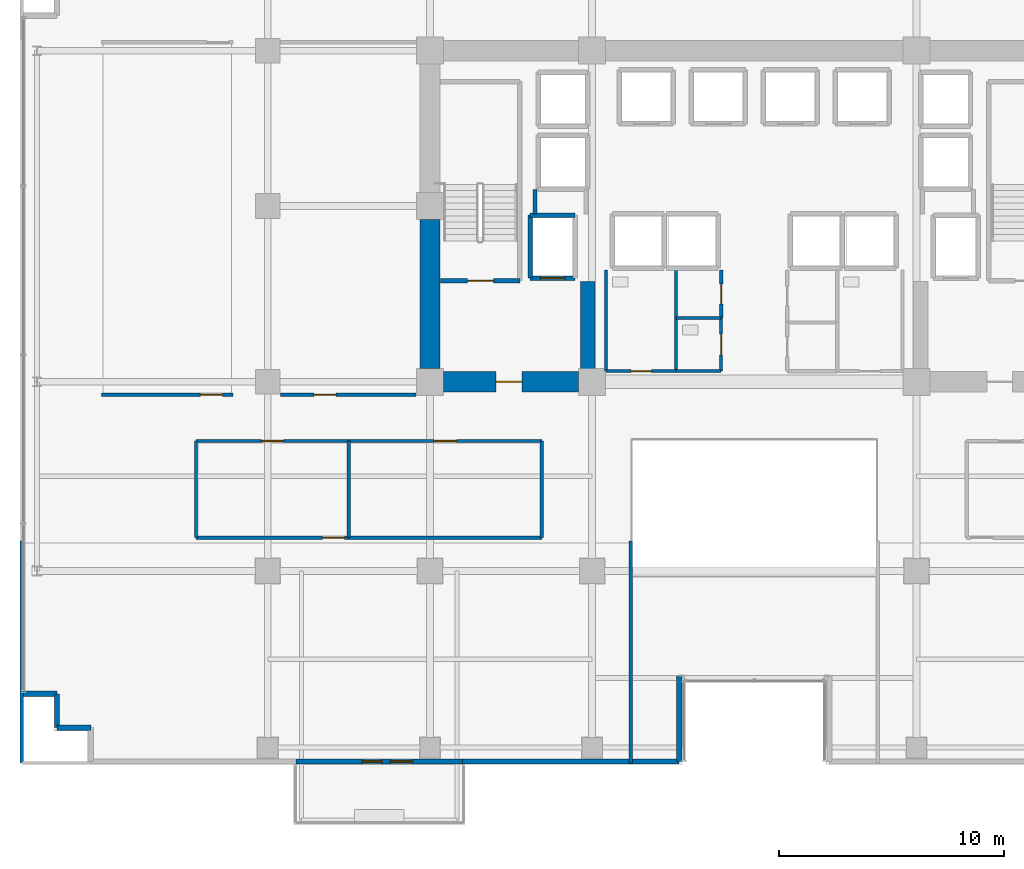
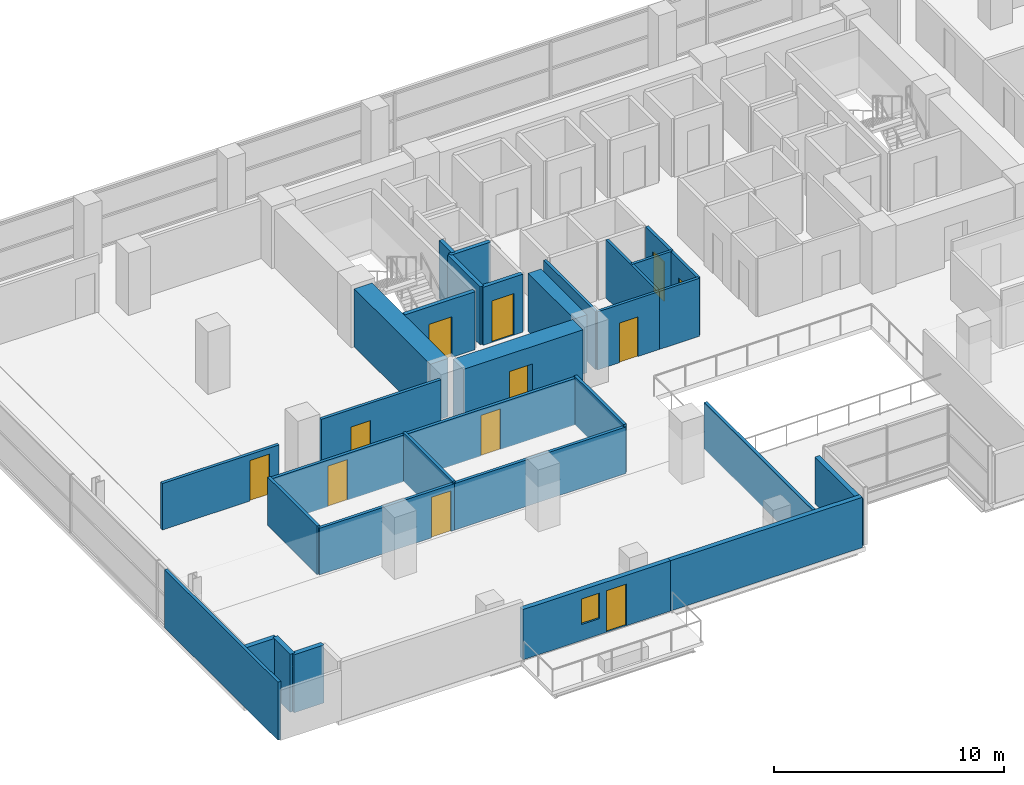
# One storey, part 22 of 30: 32 walls, 12 doors, 1 window, 13 openings.
"""IFC4 building model written with IfcOpenShell, lengths in metres."""

from ifc_helpers import new_model, si_unit, direction, frame, frame_2d, origin, place, context, subcontext, project, spatial, rectangle, extrude, source, transform, mapped, material, layer, layer_set, type_object, element, fill, save


model = new_model("IFC4")

# Units and contexts
model_context = context("Model", 3, precision=1e-05, world=origin(), true_north=direction((0.0, 1.0)))
body_context = subcontext(model_context, "Body", "Model", "MODEL_VIEW")
ifc_project = project(units=[si_unit("LENGTHUNIT", "METRE"), si_unit("AREAUNIT", "SQUARE_METRE"), si_unit("VOLUMEUNIT", "CUBIC_METRE"), si_unit("PLANEANGLEUNIT", "RADIAN"), si_unit("MASSUNIT", "GRAM", prefix="KILO")], contexts=[model_context])

# Site, building, storey
site_placement = place(None, origin())
site = spatial("IfcSite", under=ifc_project, at=site_placement, CompositionType="ELEMENT")
building_placement = place(site_placement, origin())
building = spatial("IfcBuilding", under=site, at=building_placement, Name="Zarnakvel Exchange Tower", CompositionType="ELEMENT")
storey_placement = place(building_placement, frame((0.0, 0.0, 50.5)))
storey = spatial("IfcBuildingStorey", under=building, at=storey_placement, Name="L13", CompositionType="ELEMENT", Elevation=50.5)

# Wall
ifc_material_1 = material(Name="Concrete C80/95", Category="concrete")
ifc_layer_1 = layer(ifc_material_1, 0.89990234375)
ifc_layer_set_1 = layer_set([ifc_layer_1], Name="Concrete C80/95")
wall_type_1 = type_object("IfcWallType", Name="CW-C1", PredefinedType="SHEAR", material=ifc_layer_set_1)
wall_1_placement = place(storey_placement, frame((-14.39990234375, -0.60009765625, 0.0), z_axis=(0.0, 0.0, 1.0), x_axis=(0.0, 1.0, 0.0)))
element("IfcWall", 1, at=wall_1_placement, inside=storey, type_object=wall_type_1, Name="L13 Rear Core Shear Wall W1 (CW-C1)", PredefinedType="SHEAR", context=body_context, shape_type="SweptSolid", body=[
    extrude(rectangle(XDim=6.60009765625, YDim=0.89990234375, at=frame_2d((3.300048828125, 0.0))), origin(), (0.0, 0.0, 1.0), 3.074951171875),
])

# Wall, opening, door
wall_2_placement = place(storey_placement, frame((-7.800048828125, -1.199951171875, 0.0), z_axis=(0.0, 0.0, 1.0), x_axis=(-1.0, 0.0, 0.0)))
wall_2 = element("IfcWall", 2, at=wall_2_placement, inside=storey, type_object=wall_type_1, Name="L13 Rear Core Shear Wall SW (CW-C1)", PredefinedType="SHEAR", context=body_context, shape_type="SweptSolid", body=[
    extrude(rectangle(XDim=6.0, YDim=0.89990234375, at=frame_2d((3.0, 0.0))), origin(), (0.0, 0.0, 1.0), 3.074951171875),
])
opening_1_placement = place(wall_2_placement, frame((2.52490234375, 0.0, 0.0)))
opening_1 = element("IfcOpeningElement", 3, at=opening_1_placement, cuts=wall_2, Name="Opening D-L13-03", PredefinedType="OPENING", context=body_context, shape_type="SweptSolid", body=[
    extrude(rectangle(XDim=1.14990234375, YDim=2.14990234375, at=frame_2d((0.574951171875, 1.074951171875))), frame((0.0, 0.4599609375, 0.0), z_axis=(0.0, -1.0, 0.0), x_axis=(1.0, 0.0, 0.0)), (0.0, 0.0, 1.0), 0.919921875),
])
ifc_material_2 = material(Name="Painted Galvanised Steel S355", Category="steel")
door_type_1 = type_object("IfcDoorType", Name="DT-04", OperationType="NOTDEFINED", PredefinedType="DOOR", material=ifc_material_2)
shared_shape_1 = source(origin(), body_context, "Body", "SweptSolid", [
    extrude(rectangle(XDim=1.14990234375, YDim=2.14990234375, at=frame_2d((0.574951171875, 1.074951171875))), frame((0.0, 0.02490234375, 0.0), z_axis=(0.0, -1.0, 0.0), x_axis=(1.0, 0.0, 0.0)), (0.0, 0.0, 1.0), 0.050048828125),
])
door_1_placement = place(opening_1_placement, origin())
door_1 = element("IfcDoor", 4, at=door_1_placement, inside=storey, type_object=door_type_1, Name="L13 Firefighting Lobby West Door D-L13-03", OperationType="SINGLE_SWING_LEFT", OverallHeight=2.14990234375, OverallWidth=1.14990234375, PredefinedType="DOOR", context=body_context, shape_type="MappedRepresentation", body=[
    mapped(shared_shape_1, transform((0.0, 0.0, 0.0), x_axis=(1.0, 0.0, 0.0), y_axis=(0.0, 1.0, 0.0), z_axis=(0.0, 0.0, 1.0), scale=1.0)),
])
fill(opening_1, door_1)

# Wall
ifc_layer_2 = layer(ifc_material_1, 0.64990234375)
ifc_layer_set_2 = layer_set([ifc_layer_2], Name="Concrete C80/95")
wall_type_2 = type_object("IfcWallType", Name="CW-C2", PredefinedType="SHEAR", material=ifc_layer_set_2)
wall_3_placement = place(storey_placement, frame((-7.39990234375, -0.75, 0.0), z_axis=(0.0, 0.0, 1.0), x_axis=(0.0, 1.0, 0.0)))
element("IfcWall", 5, at=wall_3_placement, inside=storey, type_object=wall_type_2, Name="L13 Rear Core Shear Wall IW (CW-C2)", PredefinedType="SHEAR", context=body_context, shape_type="SweptSolid", body=[
    extrude(rectangle(XDim=4.0, YDim=0.64990234375, at=frame_2d((2.0, 0.0))), origin(), (0.0, 0.0, 1.0), 3.074951171875),
])

# Wall, openings, door, window
ifc_material_3 = material(Name="Precast concrete C40/50", Category="concrete")
ifc_layer_3 = layer(ifc_material_3, 0.239990234375)
ifc_layer_set_3 = layer_set([ifc_layer_3], Name="Precast concrete C40/50")
wall_type_3 = type_object("IfcWallType", Name="EW-02", PredefinedType="SOLIDWALL", material=ifc_layer_set_3)
wall_4_placement = place(storey_placement, frame((-12.949951171875, -18.06005859375, 0.0), z_axis=(0.0, 0.0, 1.0), x_axis=(-1.0, 0.0, 0.0)))
wall_4 = element("IfcWall", 6, at=wall_4_placement, inside=storey, type_object=wall_type_3, Name="L13 Exterior Precast Spandrel Wall EW-BAL-L13-SW (EW-02)", PredefinedType="SOLIDWALL", context=body_context, shape_type="SweptSolid", body=[
    extrude(rectangle(XDim=7.400146484375, YDim=0.239990234375, at=frame_2d((3.7001953125, 0.0))), origin(), (0.0, 0.0, 1.0), 2.6650390625),
])
opening_2_placement = place(wall_4_placement, frame((2.219970703125, 0.0, 0.0)))
opening_2 = element("IfcOpeningElement", 7, at=opening_2_placement, cuts=wall_4, Name="Opening BD-L13-01", PredefinedType="OPENING", context=body_context, shape_type="SweptSolid", body=[
    extrude(rectangle(XDim=1.0, YDim=2.199951171875, at=frame_2d((0.5, 1.10009765625))), frame((0.0, 0.1298828125, 0.0), z_axis=(0.0, -1.0, 0.0), x_axis=(1.0, 0.0, 0.0)), (0.0, 0.0, 1.0), 0.260009765625),
])
opening_3_placement = place(wall_4_placement, frame((3.570068359375, 0.0, 0.85009765625)))
opening_3 = element("IfcOpeningElement", 8, at=opening_3_placement, cuts=wall_4, Name="Opening WN-06", PredefinedType="OPENING", context=body_context, shape_type="SweptSolid", body=[
    extrude(rectangle(XDim=0.89990234375, YDim=1.35009765625, at=frame_2d((0.449951171875, 0.675048828125))), frame((0.0, 0.1298828125, 0.0), z_axis=(0.0, -1.0, 0.0), x_axis=(1.0, 0.0, 0.0)), (0.0, 0.0, 1.0), 0.260009765625),
])
ifc_material_4 = material(Name="Architectural Bronze Anodised Aluminium", Category="aluminium")
door_type_2 = type_object("IfcDoorType", Name="DT-09", OperationType="NOTDEFINED", PredefinedType="DOOR", material=ifc_material_4)
shared_shape_2 = source(origin(), body_context, "Body", "SweptSolid", [
    extrude(rectangle(XDim=1.0, YDim=2.199951171875, at=frame_2d((0.5, 1.10009765625))), frame((0.0, 0.02490234375, 0.0), z_axis=(0.0, -1.0, 0.0), x_axis=(1.0, 0.0, 0.0)), (0.0, 0.0, 1.0), 0.050048828125),
])
door_2_placement = place(opening_2_placement, origin())
door_2 = element("IfcDoor", 9, at=door_2_placement, inside=storey, type_object=door_type_2, Name="L13 Planted Loggia Balcony Door BD-L13-01", OperationType="SINGLE_SWING_LEFT", OverallHeight=2.199951171875, OverallWidth=1.0, PredefinedType="DOOR", context=body_context, shape_type="MappedRepresentation", body=[
    mapped(shared_shape_2, transform((0.0, 0.0, 0.0), x_axis=(1.0, 0.0, 0.0), y_axis=(0.0, 1.0, 0.0), z_axis=(0.0, 0.0, 1.0), scale=1.0)),
])
fill(opening_2, door_2)
ifc_material_5 = material(Name="Double Low-E Laminated Vision Glass", Category="glass")
window_type = type_object("IfcWindowType", Name="WN-06", PartitioningType="SINGLE_PANEL", PredefinedType="WINDOW", material=ifc_material_5)
shared_shape_3 = source(origin(), body_context, "Body", "SweptSolid", [
    extrude(rectangle(XDim=0.89990234375, YDim=1.35009765625, at=frame_2d((0.449951171875, 0.675048828125))), frame((0.0, 0.030029296875, 0.0), z_axis=(0.0, -1.0, 0.0), x_axis=(1.0, 0.0, 0.0)), (0.0, 0.0, 1.0), 0.06005859375),
])
window_placement = place(opening_3_placement, origin())
window = element("IfcWindow", 10, at=window_placement, inside=storey, type_object=window_type, Name="L13 Loggia Daylight Window (WN-06)", OverallHeight=1.35009765625, OverallWidth=0.89990234375, PartitioningType="SINGLE_PANEL", PredefinedType="WINDOW", context=body_context, shape_type="MappedRepresentation", body=[
    mapped(shared_shape_3, transform((0.0, 0.0, 0.0), x_axis=(1.0, 0.0, 0.0), y_axis=(0.0, 1.0, 0.0), z_axis=(0.0, 0.0, 1.0), scale=1.0)),
])
fill(opening_3, window)

# Walls
wall_5_placement = place(storey_placement, frame((-3.340087890625, -18.06005859375, 0.0), z_axis=(0.0, 0.0, 1.0), x_axis=(0.0, 1.0, 0.0)))
element("IfcWall", 11, at=wall_5_placement, inside=storey, type_object=wall_type_3, Name="L13 Exterior Precast Spandrel Wall EWC-L13-20 (EW-02)", PredefinedType="SOLIDWALL", context=body_context, shape_type="SweptSolid", body=[
    extrude(rectangle(XDim=3.800048828125, YDim=0.239990234375, at=frame_2d((1.89990234375, 0.0))), origin(), (0.0, 0.0, 1.0), 2.465087890625),
])
wall_6_placement = place(storey_placement, frame((-12.949951171875, -18.06005859375, 0.0), z_axis=(0.0, 0.0, 1.0), x_axis=(1.0, 0.0, 0.0)))
element("IfcWall", 12, at=wall_6_placement, inside=storey, type_object=wall_type_3, Name="L13 Exterior Precast Spandrel Wall EWC-L13-21 (EW-02)", PredefinedType="SOLIDWALL", context=body_context, shape_type="SweptSolid", body=[
    extrude(rectangle(XDim=9.60986328125, YDim=0.239990234375, at=frame_2d((4.804931640625, 0.0))), origin(), (0.0, 0.0, 1.0), 2.6650390625),
])
for number, where, z_axis, x_axis, name in (
    (13, (-30.9599609375, -16.56005859375, 0.0), (0.0, 0.0, 1.0), (1.0, 0.0, 0.0), "L13 Exterior Precast Spandrel Wall EWC-L13-24 (EW-02)"),
    (14, (-30.9599609375, -15.06005859375, 0.0), (0.0, 0.0, 1.0), (0.0, -1.0, 0.0), "L13 Exterior Precast Spandrel Wall EWC-L13-25 (EW-02)"),
    (15, (-32.4599609375, -15.06005859375, 0.0), (0.0, 0.0, 1.0), (1.0, 0.0, 0.0), "L13 Exterior Precast Spandrel Wall EWC-L13-26 (EW-02)"),
):
    element("IfcWall", number, at=place(storey_placement, frame(where, z_axis=z_axis, x_axis=x_axis)), inside=storey, type_object=wall_type_3, Name=name, PredefinedType="SOLIDWALL", context=body_context, shape_type="SweptSolid", body=[
        extrude(rectangle(XDim=1.5, YDim=0.239990234375, at=frame_2d((0.75, 0.0))), origin(), (0.0, 0.0, 1.0), 3.074951171875),
    ])

# Wall, opening, door
ifc_material_6 = material(Name="Fire-Rated Gypsum Stud Partition", Category="gypsum")
ifc_layer_4 = layer(ifc_material_6, 0.14990234375)
ifc_layer_set_4 = layer_set([ifc_layer_4], Name="Fire-Rated Gypsum Stud Partition")
wall_type_4 = type_object("IfcWallType", Name="PT-01", PredefinedType="PARTITIONING", material=ifc_layer_set_4)
wall_7_placement = place(storey_placement, frame((-1.469970703125, 3.760009765625, 0.0), z_axis=(0.0, 0.0, 1.0), x_axis=(0.0, -1.0, 0.0)))
wall_7 = element("IfcWall", 16, at=wall_7_placement, inside=storey, type_object=wall_type_4, Name="L13 Partition Wall PWALL-L13-017 (PT-01)", PredefinedType="PARTITIONING", context=body_context, shape_type="SweptSolid", body=[
    extrude(rectangle(XDim=2.130126953125, YDim=0.14990234375, at=frame_2d((1.06494140625, 0.0))), origin(), (0.0, 0.0, 1.0), 3.074951171875),
])
opening_4_placement = place(wall_7_placement, frame((0.6201171875, 0.0, 0.0)))
opening_4 = element("IfcOpeningElement", 17, at=opening_4_placement, cuts=wall_7, Name="Opening D-L13-07", PredefinedType="OPENING", context=body_context, shape_type="SweptSolid", body=[
    extrude(rectangle(XDim=0.8798828125, YDim=2.10009765625, at=frame_2d((0.43994140625, 1.050048828125))), frame((0.0, 0.0849609375, 0.0), z_axis=(0.0, -1.0, 0.0), x_axis=(1.0, 0.0, 0.0)), (0.0, 0.0, 1.0), 0.169921875),
])
door_type_3 = type_object("IfcDoorType", Name="DT-08", OperationType="NOTDEFINED", PredefinedType="DOOR", material=ifc_material_2)
shared_shape_4 = source(origin(), body_context, "Body", "SweptSolid", [
    extrude(rectangle(XDim=0.8798828125, YDim=2.10009765625, at=frame_2d((0.43994140625, 1.050048828125))), frame((0.0, 0.02490234375, 0.0), z_axis=(0.0, -1.0, 0.0), x_axis=(1.0, 0.0, 0.0)), (0.0, 0.0, 1.0), 0.050048828125),
])
door_3_placement = place(opening_4_placement, origin())
door_3 = element("IfcDoor", 18, at=door_3_placement, inside=storey, type_object=door_type_3, Name="L13 Core Comms Room Door D-L13-07", OperationType="SINGLE_SWING_LEFT", OverallHeight=2.10009765625, OverallWidth=0.8798828125, PredefinedType="DOOR", context=body_context, shape_type="MappedRepresentation", body=[
    mapped(shared_shape_4, transform((0.0, 0.0, 0.0), x_axis=(1.0, 0.0, 0.0), y_axis=(0.0, 1.0, 0.0), z_axis=(0.0, 0.0, 1.0), scale=1.0)),
])
fill(opening_4, door_3)

wall_8_placement = place(storey_placement, frame((-18.012451171875, -8.1201171875, 0.0), z_axis=(0.0, 0.0, 1.0), x_axis=(-1.0, 0.0, 0.0)))
wall_8 = element("IfcWall", 19, at=wall_8_placement, inside=storey, type_object=wall_type_4, Name="L13 Partition Wall PWALL-L13-026 (PT-01)", PredefinedType="PARTITIONING", context=body_context, shape_type="SweptSolid", body=[
    extrude(rectangle(XDim=6.77783203125, YDim=0.14990234375, at=frame_2d((3.388916015625, 0.0))), origin(), (0.0, 0.0, 1.0), 2.465087890625),
])
opening_5_placement = place(wall_8_placement, frame((0.179931640625, 0.0, 0.0)))
opening_5 = element("IfcOpeningElement", 20, at=opening_5_placement, cuts=wall_8, Name="Opening D-L13-13", PredefinedType="OPENING", context=body_context, shape_type="SweptSolid", body=[
    extrude(rectangle(XDim=0.97998046875, YDim=2.14990234375, at=frame_2d((0.489990234375, 1.074951171875))), frame((0.0, 0.0849609375, 0.0), z_axis=(0.0, -1.0, 0.0), x_axis=(1.0, 0.0, 0.0)), (0.0, 0.0, 1.0), 0.169921875),
])
ifc_material_7 = material(Name="Timber Acoustic Veneer", Category="wood")
door_type_4 = type_object("IfcDoorType", Name="DT-05", OperationType="NOTDEFINED", PredefinedType="DOOR", material=ifc_material_7)
shared_shape_5 = source(origin(), body_context, "Body", "SweptSolid", [
    extrude(rectangle(XDim=0.97998046875, YDim=2.14990234375, at=frame_2d((0.489990234375, 1.074951171875))), frame((0.0, 0.02490234375, 0.0), z_axis=(0.0, -1.0, 0.0), x_axis=(1.0, 0.0, 0.0)), (0.0, 0.0, 1.0), 0.050048828125),
])
door_4_placement = place(opening_5_placement, origin())
door_4 = element("IfcDoor", 21, at=door_4_placement, inside=storey, type_object=door_type_4, Name="L13 Derivatives Trading Hall Door D-L13-13", OperationType="SINGLE_SWING_LEFT", OverallHeight=2.14990234375, OverallWidth=0.97998046875, PredefinedType="DOOR", context=body_context, shape_type="MappedRepresentation", body=[
    mapped(shared_shape_5, transform((0.0, 0.0, 0.0), x_axis=(1.0, 0.0, 0.0), y_axis=(0.0, 1.0, 0.0), z_axis=(0.0, 0.0, 1.0), scale=1.0)),
])
fill(opening_5, door_4)

wall_9_placement = place(storey_placement, frame((-24.790283203125, -3.830078125, 0.0), z_axis=(0.0, 0.0, 1.0), x_axis=(1.0, 0.0, 0.0)))
wall_9 = element("IfcWall", 22, at=wall_9_placement, inside=storey, type_object=wall_type_4, Name="L13 Partition Wall PWALL-L13-027 (PT-01)", PredefinedType="PARTITIONING", context=body_context, shape_type="SweptSolid", body=[
    extrude(rectangle(XDim=6.77783203125, YDim=0.14990234375, at=frame_2d((3.388916015625, 0.0))), origin(), (0.0, 0.0, 1.0), 2.465087890625),
])
opening_6_placement = place(wall_9_placement, frame((2.899169921875, 0.0, 0.0)))
opening_6 = element("IfcOpeningElement", 23, at=opening_6_placement, cuts=wall_9, Name="Opening D-L13-11", PredefinedType="OPENING", context=body_context, shape_type="SweptSolid", body=[
    extrude(rectangle(XDim=0.97998046875, YDim=2.14990234375, at=frame_2d((0.489990234375, 1.074951171875))), frame((0.0, 0.0849609375, 0.0), z_axis=(0.0, -1.0, 0.0), x_axis=(1.0, 0.0, 0.0)), (0.0, 0.0, 1.0), 0.169921875),
])
door_5_placement = place(opening_6_placement, origin())
door_5 = element("IfcDoor", 24, at=door_5_placement, inside=storey, type_object=door_type_4, Name="L13 Conference Room Door D-L13-11", OperationType="SINGLE_SWING_LEFT", OverallHeight=2.14990234375, OverallWidth=0.97998046875, PredefinedType="DOOR", context=body_context, shape_type="MappedRepresentation", body=[
    mapped(shared_shape_5, transform((0.0, 0.0, 0.0), x_axis=(1.0, 0.0, 0.0), y_axis=(0.0, 1.0, 0.0), z_axis=(0.0, 0.0, 1.0), scale=1.0)),
])
fill(opening_6, door_5)

# Walls
for number, where, z_axis, x_axis, name in (
    (25, (-24.790283203125, -8.1201171875, 0.0), (0.0, 0.0, 1.0), (0.0, 1.0, 0.0), "L13 Partition Wall PWALL-L13-028 (PT-01)"),
    (26, (-18.012451171875, -3.830078125, 0.0), (0.0, 0.0, 1.0), (0.0, -1.0, 0.0), "L13 Partition Wall PWALL-L13-029 (PT-01)"),
):
    element("IfcWall", number, at=place(storey_placement, frame(where, z_axis=z_axis, x_axis=x_axis)), inside=storey, type_object=wall_type_4, Name=name, PredefinedType="PARTITIONING", context=body_context, shape_type="SweptSolid", body=[
        extrude(rectangle(XDim=4.2900390625, YDim=0.14990234375, at=frame_2d((2.14501953125, 0.0))), origin(), (0.0, 0.0, 1.0), 2.56494140625),
    ])
wall_10_placement = place(storey_placement, frame((-9.429931640625, -8.1201171875, 0.0), z_axis=(0.0, 0.0, 1.0), x_axis=(-1.0, 0.0, 0.0)))
element("IfcWall", 27, at=wall_10_placement, inside=storey, type_object=wall_type_4, Name="L13 Partition Wall PWALL-L13-030 (PT-01)", PredefinedType="PARTITIONING", context=body_context, shape_type="SweptSolid", body=[
    extrude(rectangle(XDim=8.58251953125, YDim=0.14990234375, at=frame_2d((4.291259765625, 0.0))), origin(), (0.0, 0.0, 1.0), 2.465087890625),
])

# Wall, opening, door
wall_11_placement = place(storey_placement, frame((-18.012451171875, -3.830078125, 0.0), z_axis=(0.0, 0.0, 1.0), x_axis=(1.0, 0.0, 0.0)))
wall_11 = element("IfcWall", 28, at=wall_11_placement, inside=storey, type_object=wall_type_4, Name="L13 Partition Wall PWALL-L13-031 (PT-01)", PredefinedType="PARTITIONING", context=body_context, shape_type="SweptSolid", body=[
    extrude(rectangle(XDim=8.58251953125, YDim=0.14990234375, at=frame_2d((4.291259765625, 0.0))), origin(), (0.0, 0.0, 1.0), 2.465087890625),
])
opening_7_placement = place(wall_11_placement, frame((3.801513671875, 0.0, 0.0)))
opening_7 = element("IfcOpeningElement", 29, at=opening_7_placement, cuts=wall_11, Name="Opening D-L13-12", PredefinedType="OPENING", context=body_context, shape_type="SweptSolid", body=[
    extrude(rectangle(XDim=0.97998046875, YDim=2.14990234375, at=frame_2d((0.489990234375, 1.074951171875))), frame((0.0, 0.0849609375, 0.0), z_axis=(0.0, -1.0, 0.0), x_axis=(1.0, 0.0, 0.0)), (0.0, 0.0, 1.0), 0.169921875),
])
door_6_placement = place(opening_7_placement, origin())
door_6 = element("IfcDoor", 30, at=door_6_placement, inside=storey, type_object=door_type_4, Name="L13 Executive Suite Door D-L13-12", OperationType="SINGLE_SWING_RIGHT", OverallHeight=2.14990234375, OverallWidth=0.97998046875, PredefinedType="DOOR", context=body_context, shape_type="MappedRepresentation", body=[
    mapped(shared_shape_5, transform((0.0, 0.0, 0.0), x_axis=(1.0, 0.0, 0.0), y_axis=(0.0, 1.0, 0.0), z_axis=(0.0, 0.0, 1.0), scale=1.0)),
])
fill(opening_7, door_6)

# Walls
wall_12_placement = place(storey_placement, frame((-9.429931640625, -3.830078125, 0.0), z_axis=(0.0, 0.0, 1.0), x_axis=(0.0, -1.0, 0.0)))
element("IfcWall", 31, at=wall_12_placement, inside=storey, type_object=wall_type_4, Name="L13 Partition Wall PWALL-L13-032 (PT-01)", PredefinedType="PARTITIONING", context=body_context, shape_type="SweptSolid", body=[
    extrude(rectangle(XDim=4.2900390625, YDim=0.14990234375, at=frame_2d((2.14501953125, 0.0))), origin(), (0.0, 0.0, 1.0), 2.56494140625),
])
wall_13_placement = place(storey_placement, frame((-32.530029296875, -18.1298828125, 0.0), z_axis=(0.0, 0.0, 1.0), x_axis=(0.0, 1.0, 0.0)))
element("IfcWall", 32, at=wall_13_placement, inside=storey, type_object=wall_type_4, Name="L13 Partition Wall PWALL-L13-034 (PT-01)", PredefinedType="PARTITIONING", context=body_context, shape_type="SweptSolid", body=[
    extrude(rectangle(XDim=9.849853515625, YDim=0.14990234375, at=frame_2d((4.9248046875, 0.0))), origin(), (0.0, 0.0, 1.0), 3.074951171875),
])
wall_14_placement = place(storey_placement, frame((-5.47998046875, -8.280029296875, 0.0), z_axis=(0.0, 0.0, 1.0), x_axis=(0.0, -1.0, 0.0)))
element("IfcWall", 33, at=wall_14_placement, inside=storey, type_object=wall_type_4, Name="L13 Partition Wall PWALL-L13-035 (PT-01)", PredefinedType="PARTITIONING", context=body_context, shape_type="SweptSolid", body=[
    extrude(rectangle(XDim=9.849853515625, YDim=0.14990234375, at=frame_2d((4.9248046875, 0.0))), origin(), (0.0, 0.0, 1.0), 2.465087890625),
])

# Wall, opening, door
wall_15_placement = place(storey_placement, frame((-23.142822265625, -1.77001953125, 0.0), z_axis=(0.0, 0.0, 1.0), x_axis=(-1.0, 0.0, 0.0)))
wall_15 = element("IfcWall", 34, at=wall_15_placement, inside=storey, type_object=wall_type_4, Name="L13 Partition Wall PWALL-L13-048 (PT-01)", PredefinedType="PARTITIONING", context=body_context, shape_type="SweptSolid", body=[
    extrude(rectangle(XDim=5.853271484375, YDim=0.14990234375, at=frame_2d((2.9267578125, 0.0))), origin(), (0.0, 0.0, 1.0), 2.465087890625),
])
opening_8_placement = place(wall_15_placement, frame((0.47802734375, 0.0, 0.0)))
opening_8 = element("IfcOpeningElement", 35, at=opening_8_placement, cuts=wall_15, Name="Opening D-L13-18", PredefinedType="OPENING", context=body_context, shape_type="SweptSolid", body=[
    extrude(rectangle(XDim=0.97998046875, YDim=2.14990234375, at=frame_2d((0.489990234375, 1.074951171875))), frame((0.0, 0.0849609375, 0.0), z_axis=(0.0, -1.0, 0.0), x_axis=(1.0, 0.0, 0.0)), (0.0, 0.0, 1.0), 0.169921875),
])
door_7_placement = place(opening_8_placement, origin())
door_7 = element("IfcDoor", 36, at=door_7_placement, inside=storey, type_object=door_type_4, Name="L13 Staff Pantry Door D-L13-18", OperationType="SINGLE_SWING_RIGHT", OverallHeight=2.14990234375, OverallWidth=0.97998046875, PredefinedType="DOOR", context=body_context, shape_type="MappedRepresentation", body=[
    mapped(shared_shape_5, transform((0.0, 0.0, 0.0), x_axis=(1.0, 0.0, 0.0), y_axis=(0.0, 1.0, 0.0), z_axis=(0.0, 0.0, 1.0), scale=1.0)),
])
fill(opening_8, door_7)

wall_16_placement = place(storey_placement, frame((-15.02001953125, -1.77001953125, 0.0), z_axis=(0.0, 0.0, 1.0), x_axis=(-1.0, 0.0, 0.0)))
wall_16 = element("IfcWall", 37, at=wall_16_placement, inside=storey, type_object=wall_type_4, Name="L13 Partition Wall PWALL-L13-050 (PT-01)", PredefinedType="PARTITIONING", context=body_context, shape_type="SweptSolid", body=[
    extrude(rectangle(XDim=6.010009765625, YDim=0.14990234375, at=frame_2d((3.0048828125, 0.0))), origin(), (0.0, 0.0, 1.0), 3.074951171875),
])
opening_9_placement = place(wall_16_placement, frame((3.5458984375, 0.0, 0.0)))
opening_9 = element("IfcOpeningElement", 38, at=opening_9_placement, cuts=wall_16, Name="Opening D-L13-19", PredefinedType="OPENING", context=body_context, shape_type="SweptSolid", body=[
    extrude(rectangle(XDim=0.97998046875, YDim=2.14990234375, at=frame_2d((0.489990234375, 1.074951171875))), frame((0.0, 0.0849609375, 0.0), z_axis=(0.0, -1.0, 0.0), x_axis=(1.0, 0.0, 0.0)), (0.0, 0.0, 1.0), 0.169921875),
])
door_8_placement = place(opening_9_placement, origin())
door_8 = element("IfcDoor", 39, at=door_8_placement, inside=storey, type_object=door_type_4, Name="L13 Compliance Office Door D-L13-19", OperationType="SINGLE_SWING_LEFT", OverallHeight=2.14990234375, OverallWidth=0.97998046875, PredefinedType="DOOR", context=body_context, shape_type="MappedRepresentation", body=[
    mapped(shared_shape_5, transform((0.0, 0.0, 0.0), x_axis=(1.0, 0.0, 0.0), y_axis=(0.0, 1.0, 0.0), z_axis=(0.0, 0.0, 1.0), scale=1.0)),
])
fill(opening_9, door_8)

# Wall
ifc_layer_5 = layer(ifc_material_6, 0.179931640625)
ifc_layer_set_5 = layer_set([ifc_layer_5], Name="Fire-Rated Gypsum Stud Partition")
wall_type_5 = type_object("IfcWallType", Name="PT-02", PredefinedType="PARTITIONING", material=ifc_layer_set_5)
wall_17_placement = place(storey_placement, frame((-9.72998046875, 6.239990234375, 0.0), z_axis=(0.0, 0.0, 1.0), x_axis=(0.0, 1.0, 0.0)))
element("IfcWall", 40, at=wall_17_placement, inside=storey, type_object=wall_type_5, Name="L13 Partition Wall PWALL-L13-007 (PT-02)", PredefinedType="PARTITIONING", context=body_context, shape_type="SweptSolid", body=[
    extrude(rectangle(XDim=1.090087890625, YDim=0.179931640625, at=frame_2d((0.544921875, 0.0))), origin(), (0.0, 0.0, 1.0), 3.074951171875),
])

# Wall, opening, door
ifc_material_8 = material(Name="Moisture-Resistant Tile-Faced Partition", Category="gypsum")
ifc_layer_6 = layer(ifc_material_8, 0.135009765625)
ifc_layer_set_6 = layer_set([ifc_layer_6], Name="Moisture-Resistant Tile-Faced Partition")
wall_type_6 = type_object("IfcWallType", Name="PT-03", PredefinedType="PARTITIONING", material=ifc_layer_set_6)
wall_18_placement = place(storey_placement, frame((-3.469970703125, -0.72998046875, 0.0), z_axis=(0.0, 0.0, 1.0), x_axis=(-1.0, 0.0, 0.0)))
wall_18 = element("IfcWall", 41, at=wall_18_placement, inside=storey, type_object=wall_type_6, Name="L13 Partition Wall PWALL-L13-011 (PT-03)", PredefinedType="PARTITIONING", context=body_context, shape_type="SweptSolid", body=[
    extrude(rectangle(XDim=3.110107421875, YDim=0.135009765625, at=frame_2d((1.55517578125, 0.0))), origin(), (0.0, 0.0, 1.0), 3.074951171875),
])
opening_10_placement = place(wall_18_placement, frame((1.090087890625, 0.0, 0.0)))
opening_10 = element("IfcOpeningElement", 42, at=opening_10_placement, cuts=wall_18, Name="Opening D-L13-05", PredefinedType="OPENING", context=body_context, shape_type="SweptSolid", body=[
    extrude(rectangle(XDim=0.919921875, YDim=2.10009765625, at=frame_2d((0.4599609375, 1.050048828125))), frame((0.0, 0.077392578125, 0.0), z_axis=(0.0, -1.0, 0.0), x_axis=(1.0, 0.0, 0.0)), (0.0, 0.0, 1.0), 0.155029296875),
])
ifc_material_9 = material(Name="Moisture-Resistant Laminate Timber", Category="wood")
door_type_5 = type_object("IfcDoorType", Name="DT-07", OperationType="NOTDEFINED", PredefinedType="DOOR", material=ifc_material_9)
shared_shape_6 = source(origin(), body_context, "Body", "SweptSolid", [
    extrude(rectangle(XDim=0.919921875, YDim=2.10009765625, at=frame_2d((0.4599609375, 1.050048828125))), frame((0.0, 0.02490234375, 0.0), z_axis=(0.0, -1.0, 0.0), x_axis=(1.0, 0.0, 0.0)), (0.0, 0.0, 1.0), 0.050048828125),
])
door_9_placement = place(opening_10_placement, origin())
door_9 = element("IfcDoor", 43, at=door_9_placement, inside=storey, type_object=door_type_5, Name="L13 Male Toilet Door D-L13-05", OperationType="SINGLE_SWING_LEFT", OverallHeight=2.10009765625, OverallWidth=0.919921875, PredefinedType="DOOR", context=body_context, shape_type="MappedRepresentation", body=[
    mapped(shared_shape_6, transform((0.0, 0.0, 0.0), x_axis=(1.0, 0.0, 0.0), y_axis=(0.0, 1.0, 0.0), z_axis=(0.0, 0.0, 1.0), scale=1.0)),
])
fill(opening_10, door_9)

# Walls
for number, where, z_axis, x_axis, name in (
    (44, (-6.580078125, -0.72998046875, 0.0), (0.0, 0.0, 1.0), (0.0, 1.0, 0.0), "L13 Partition Wall PWALL-L13-012 (PT-03)"),
    (45, (-3.469970703125, 3.760009765625, 0.0), (0.0, 0.0, 1.0), (0.0, -1.0, 0.0), "L13 Partition Wall PWALL-L13-013 (PT-03)"),
):
    element("IfcWall", number, at=place(storey_placement, frame(where, z_axis=z_axis, x_axis=x_axis)), inside=storey, type_object=wall_type_6, Name=name, PredefinedType="PARTITIONING", context=body_context, shape_type="SweptSolid", body=[
        extrude(rectangle(XDim=4.489990234375, YDim=0.135009765625, at=frame_2d((2.2451171875, 0.0))), origin(), (0.0, 0.0, 1.0), 3.074951171875),
    ])
for number, where, z_axis, x_axis, name in (
    (46, (-1.469970703125, -0.72998046875, 0.0), (0.0, 0.0, 1.0), (-1.0, 0.0, 0.0), "L13 Partition Wall PWALL-L13-014 (PT-03)"),
    (47, (-3.469970703125, 1.6298828125, 0.0), (0.0, 0.0, 1.0), (1.0, 0.0, 0.0), "L13 Partition Wall PWALL-L13-015 (PT-03)"),
):
    element("IfcWall", number, at=place(storey_placement, frame(where, z_axis=z_axis, x_axis=x_axis)), inside=storey, type_object=wall_type_6, Name=name, PredefinedType="PARTITIONING", context=body_context, shape_type="SweptSolid", body=[
        extrude(rectangle(XDim=2.0, YDim=0.135009765625, at=frame_2d((1.0, 0.0))), origin(), (0.0, 0.0, 1.0), 3.074951171875),
    ])

# Wall, opening, door
wall_19_placement = place(storey_placement, frame((-1.469970703125, 1.6298828125, 0.0), z_axis=(0.0, 0.0, 1.0), x_axis=(0.0, -1.0, 0.0)))
wall_19 = element("IfcWall", 48, at=wall_19_placement, inside=storey, type_object=wall_type_6, Name="L13 Partition Wall PWALL-L13-016 (PT-03)", PredefinedType="PARTITIONING", context=body_context, shape_type="SweptSolid", body=[
    extrude(rectangle(XDim=2.35986328125, YDim=0.135009765625, at=frame_2d((1.179931640625, 0.0))), origin(), (0.0, 0.0, 1.0), 3.074951171875),
])
opening_11_placement = place(wall_19_placement, frame((0.719970703125, 0.0, 0.0)))
opening_11 = element("IfcOpeningElement", 49, at=opening_11_placement, cuts=wall_19, Name="Opening D-L13-06", PredefinedType="OPENING", context=body_context, shape_type="SweptSolid", body=[
    extrude(rectangle(XDim=0.919921875, YDim=2.10009765625, at=frame_2d((0.4599609375, 1.050048828125))), frame((0.0, 0.077392578125, 0.0), z_axis=(0.0, -1.0, 0.0), x_axis=(1.0, 0.0, 0.0)), (0.0, 0.0, 1.0), 0.155029296875),
])
door_10_placement = place(opening_11_placement, origin())
door_10 = element("IfcDoor", 50, at=door_10_placement, inside=storey, type_object=door_type_5, Name="L13 Accessible Toilet Door D-L13-06", OperationType="SINGLE_SWING_RIGHT", OverallHeight=2.10009765625, OverallWidth=0.919921875, PredefinedType="DOOR", context=body_context, shape_type="MappedRepresentation", body=[
    mapped(shared_shape_6, transform((0.0, 0.0, 0.0), x_axis=(1.0, 0.0, 0.0), y_axis=(0.0, 1.0, 0.0), z_axis=(0.0, 0.0, 1.0), scale=1.0)),
])
fill(opening_11, door_10)

ifc_material_10 = material(Name="Concrete C40/50", Category="concrete")
ifc_layer_7 = layer(ifc_material_10, 0.199951171875)
ifc_layer_set_7 = layer_set([ifc_layer_7], Name="Concrete C40/50")
wall_type_7 = type_object("IfcWallType", Name="SW-01", PredefinedType="SOLIDWALL", material=ifc_layer_set_7)
wall_20_placement = place(storey_placement, frame((-7.949951171875, 3.39990234375, 0.0), z_axis=(0.0, 0.0, 1.0), x_axis=(-1.0, 0.0, 0.0)))
wall_20 = element("IfcWall", 51, at=wall_20_placement, inside=storey, type_object=wall_type_7, Name="L13 FL-01 Hoistway Wall South", PredefinedType="SOLIDWALL", context=body_context, shape_type="SweptSolid", body=[
    extrude(rectangle(XDim=2.0, YDim=0.199951171875, at=frame_2d((1.0, 0.0))), origin(), (0.0, 0.0, 1.0), 3.074951171875),
])
opening_12_placement = place(wall_20_placement, frame((0.449951171875, 0.0, 0.0)))
opening_12 = element("IfcOpeningElement", 52, at=opening_12_placement, cuts=wall_20, Name="Opening LD-FL-01-L13", PredefinedType="OPENING", context=body_context, shape_type="SweptSolid", body=[
    extrude(rectangle(XDim=1.10009765625, YDim=2.199951171875, at=frame_2d((0.550048828125, 1.10009765625))), frame((0.0, 0.10986328125, 0.0), z_axis=(0.0, -1.0, 0.0), x_axis=(1.0, 0.0, 0.0)), (0.0, 0.0, 1.0), 0.219970703125),
])
ifc_material_11 = material(Name="Brushed Stainless Steel", Category="steel")
door_type_6 = type_object("IfcDoorType", Name="LDT-01", OperationType="NOTDEFINED", PredefinedType="DOOR", material=ifc_material_11)
shared_shape_7 = source(origin(), body_context, "Body", "SweptSolid", [
    extrude(rectangle(XDim=1.10009765625, YDim=2.199951171875, at=frame_2d((0.550048828125, 1.10009765625))), frame((0.0, 0.02490234375, 0.0), z_axis=(0.0, -1.0, 0.0), x_axis=(1.0, 0.0, 0.0)), (0.0, 0.0, 1.0), 0.050048828125),
])
door_11_placement = place(opening_12_placement, origin())
door_11 = element("IfcDoor", 53, at=door_11_placement, inside=storey, type_object=door_type_6, Name="L13 FL-01 Lift Landing Door LD-FL-01-L13", OperationType="DOUBLE_DOOR_SLIDING", OverallHeight=2.199951171875, OverallWidth=1.10009765625, PredefinedType="DOOR", context=body_context, shape_type="MappedRepresentation", body=[
    mapped(shared_shape_7, transform((0.0, 0.0, 0.0), x_axis=(1.0, 0.0, 0.0), y_axis=(0.0, 1.0, 0.0), z_axis=(0.0, 0.0, 1.0), scale=1.0)),
])
fill(opening_12, door_11)

# Walls
wall_21_placement = place(storey_placement, frame((-9.949951171875, 6.199951171875, 0.0), z_axis=(0.0, 0.0, 1.0), x_axis=(1.0, 0.0, 0.0)))
element("IfcWall", 54, at=wall_21_placement, inside=storey, type_object=wall_type_7, Name="L13 FL-01 Hoistway Wall North", PredefinedType="SOLIDWALL", context=body_context, shape_type="SweptSolid", body=[
    extrude(rectangle(XDim=2.0, YDim=0.199951171875, at=frame_2d((1.0, 0.0))), origin(), (0.0, 0.0, 1.0), 3.074951171875),
])
wall_22_placement = place(storey_placement, frame((-9.949951171875, 3.39990234375, 0.0), z_axis=(0.0, 0.0, 1.0), x_axis=(0.0, 1.0, 0.0)))
element("IfcWall", 55, at=wall_22_placement, inside=storey, type_object=wall_type_7, Name="L13 FL-01 Hoistway Wall West", PredefinedType="SOLIDWALL", context=body_context, shape_type="SweptSolid", body=[
    extrude(rectangle(XDim=2.800048828125, YDim=0.199951171875, at=frame_2d((1.39990234375, 0.0))), origin(), (0.0, 0.0, 1.0), 3.074951171875),
])

# Wall, opening, door
ifc_layer_8 = layer(ifc_material_10, 0.199951171875)
ifc_layer_set_8 = layer_set([ifc_layer_8], Name="Concrete C40/50")
wall_type_8 = type_object("IfcWallType", Name="SW-02", PredefinedType="SOLIDWALL", material=ifc_layer_set_8)
wall_23_placement = place(storey_placement, frame((-10.409912109375, 3.2900390625, 0.0), z_axis=(0.0, 0.0, 1.0), x_axis=(-1.0, 0.0, 0.0)))
wall_23 = element("IfcWall", 56, at=wall_23_placement, inside=storey, type_object=wall_type_8, Name="L13 Stairwell Core Wall PWALL-L13-001 (SW-02)", PredefinedType="SOLIDWALL", context=body_context, shape_type="SweptSolid", body=[
    extrude(rectangle(XDim=3.52001953125, YDim=0.199951171875, at=frame_2d((1.760009765625, 0.0))), origin(), (0.0, 0.0, 1.0), 3.074951171875),
])
opening_13_placement = place(wall_23_placement, frame((1.1650390625, 0.0, 0.0)))
opening_13 = element("IfcOpeningElement", 57, at=opening_13_placement, cuts=wall_23, Name="Opening D-L13-01", PredefinedType="OPENING", context=body_context, shape_type="SweptSolid", body=[
    extrude(rectangle(XDim=1.14990234375, YDim=2.14990234375, at=frame_2d((0.574951171875, 1.074951171875))), frame((0.0, 0.10986328125, 0.0), z_axis=(0.0, -1.0, 0.0), x_axis=(1.0, 0.0, 0.0)), (0.0, 0.0, 1.0), 0.219970703125),
])
door_12_placement = place(opening_13_placement, origin())
door_12 = element("IfcDoor", 58, at=door_12_placement, inside=storey, type_object=door_type_1, Name="L13 Stairwell ST-01 Door D-L13-01", OperationType="SINGLE_SWING_LEFT", OverallHeight=2.14990234375, OverallWidth=1.14990234375, PredefinedType="DOOR", context=body_context, shape_type="MappedRepresentation", body=[
    mapped(shared_shape_1, transform((0.0, 0.0, 0.0), x_axis=(1.0, 0.0, 0.0), y_axis=(0.0, 1.0, 0.0), z_axis=(0.0, 0.0, 1.0), scale=1.0)),
])
fill(opening_13, door_12)

save(model, "model.ifc")
